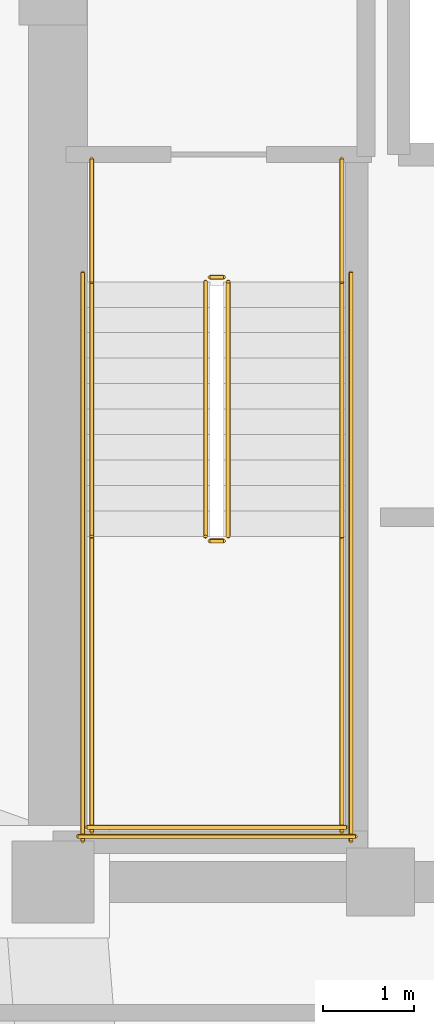
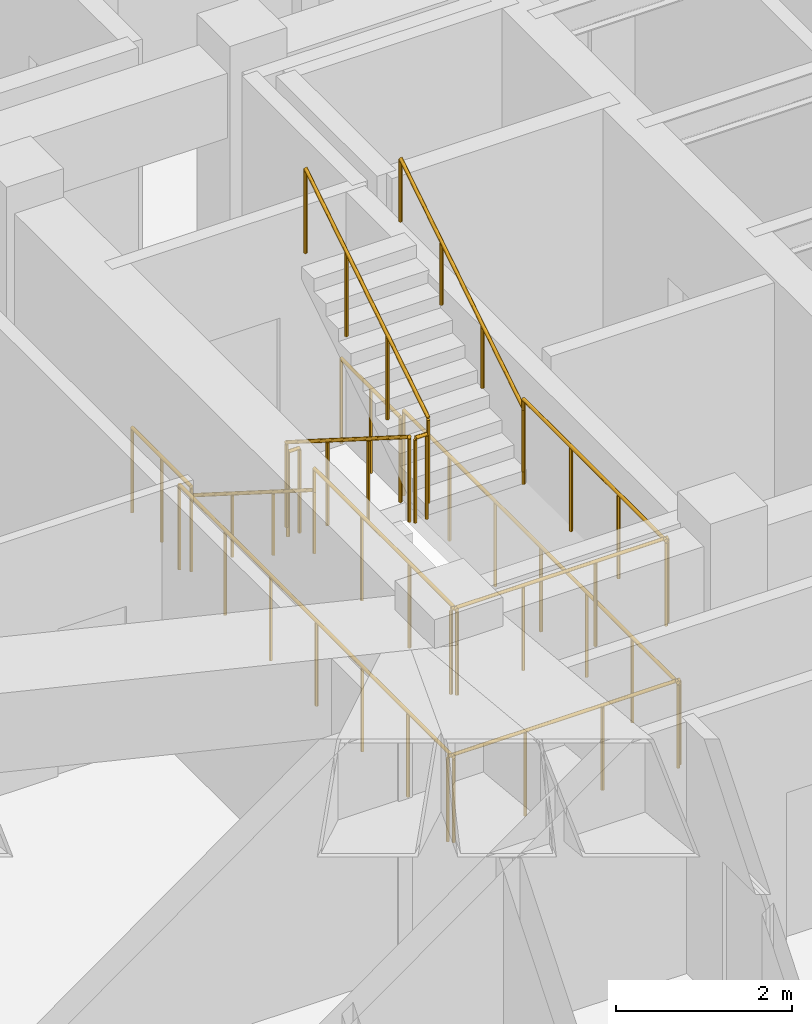
# One storey, part 11 of 12: 14 railings.
"""IFC4 building model written with IfcOpenShell, lengths in metres."""

from ifc_helpers import new_model, si_unit, direction, frame, origin, origin_2d, place, context, subcontext, project, spatial, circle, extrude, material, type_object, element, save


model = new_model("IFC4")

# Units and contexts
model_context = context("Model", 3, precision=1e-05, world=origin(), true_north=direction((0.0, 1.0)))
body_context = subcontext(model_context, "Body", "Model", "MODEL_VIEW")
ifc_project = project(units=[si_unit("LENGTHUNIT", "METRE"), si_unit("AREAUNIT", "SQUARE_METRE"), si_unit("VOLUMEUNIT", "CUBIC_METRE"), si_unit("PLANEANGLEUNIT", "RADIAN"), si_unit("MASSUNIT", "GRAM", prefix="KILO")], contexts=[model_context])

# Site, building, storey
site_placement = place(None, origin())
site = spatial("IfcSite", under=ifc_project, at=site_placement, CompositionType="ELEMENT")
building_placement = place(site_placement, origin())
building = spatial("IfcBuilding", under=site, at=building_placement, Name="Voryun Gate Residences", CompositionType="ELEMENT")
storey_placement = place(building_placement, frame((0.0, 0.0, 250.89990234375)))
storey = spatial("IfcBuildingStorey", under=building, at=storey_placement, Name="L62", CompositionType="ELEMENT", Elevation=250.89990234375)

# Railings
ifc_material_1 = material(Name="Painted steel", Category="steel")
railing_type_1 = type_object("IfcRailingType", Name="RAIL_STAIR_GUARD_1200", PredefinedType="GUARDRAIL", material=ifc_material_1)
railing_1_placement = place(storey_placement, frame((-17.52490234375, -0.800048828125, 0.177490234375)))
element("IfcRailing", 1, at=railing_1_placement, inside=storey, type_object=railing_type_1, Name="L62 ST-W1 stair guard 1", PredefinedType="GUARDRAIL", context=body_context, shape_type="SweptSolid", body=[
    extrude(circle(Radius=0.02392578125, at=origin_2d()), frame((0.0, 0.0, 1.17578125), z_axis=(0.0, -0.844908973607, 0.534910110503), x_axis=(1.0, 0.0, 0.0)), (0.0, 0.0, 1.0), 3.31396484375),
    extrude(circle(Radius=0.02099609375, at=origin_2d()), origin(), (0.0, 0.0, 1.0), 1.15185546875),
    extrude(circle(Radius=0.02099609375, at=origin_2d()), frame((0.0, -0.933349609375, 0.5908203125)), (0.0, 0.0, 1.0), 1.15185546875),
    extrude(circle(Radius=0.02099609375, at=origin_2d()), frame((0.0, -1.86669921875, 1.181884765625)), (0.0, 0.0, 1.0), 1.15185546875),
    extrude(circle(Radius=0.02099609375, at=origin_2d()), frame((0.0, -2.800048828125, 1.772705078125)), (0.0, 0.0, 1.0), 1.15185546875),
])
railing_2_placement = place(storey_placement, frame((-17.47509765625, -3.64990234375, 1.9501953125)))
element("IfcRailing", 2, at=railing_2_placement, inside=storey, type_object=railing_type_1, Name="L62 ST-W1 stair guard 2", PredefinedType="GUARDRAIL", context=body_context, shape_type="SweptSolid", body=[
    extrude(circle(Radius=0.02392578125, at=origin_2d()), frame((0.0, 0.0, 1.17578125), z_axis=(1.0, 0.0, 0.0), x_axis=(0.0, 1.0, 0.0)), (0.0, 0.0, 1.0), 0.150146484375),
    extrude(circle(Radius=0.02099609375, at=origin_2d()), origin(), (0.0, 0.0, 1.0), 1.15185546875),
    extrude(circle(Radius=0.02099609375, at=origin_2d()), frame((0.150146484375, 0.0, 0.0)), (0.0, 0.0, 1.0), 1.15185546875),
])
for number, where, name in (
    (3, (-18.77490234375, -3.60009765625, 1.9501953125), "L62 ST-W1 stair guard 3"),
    (4, (-16.02490234375, -3.60009765625, 1.9501953125), "L62 ST-W1 stair guard 4"),
):
    element("IfcRailing", number, at=place(storey_placement, frame(where)), inside=storey, type_object=railing_type_1, Name=name, PredefinedType="GUARDRAIL", context=body_context, shape_type="SweptSolid", body=[
        extrude(circle(Radius=0.02392578125, at=origin_2d()), frame((0.0, 0.0, 1.17578125), z_axis=(0.0, -1.0, 0.0), x_axis=(1.0, 0.0, 0.0)), (0.0, 0.0, 1.0), 3.25),
        extrude(circle(Radius=0.02099609375, at=origin_2d()), origin(), (0.0, 0.0, 1.0), 1.15185546875),
        extrude(circle(Radius=0.02099609375, at=origin_2d()), frame((0.0, -1.083251953125, 0.0)), (0.0, 0.0, 1.0), 1.15185546875),
        extrude(circle(Radius=0.02099609375, at=origin_2d()), frame((0.0, -2.166748046875, 0.0)), (0.0, 0.0, 1.0), 1.15185546875),
        extrude(circle(Radius=0.02099609375, at=origin_2d()), frame((0.0, -3.25, 0.0)), (0.0, 0.0, 1.0), 1.15185546875),
    ])
railing_3_placement = place(storey_placement, frame((-18.824951171875, -6.800048828125, 1.9501953125)))
element("IfcRailing", 5, at=railing_3_placement, inside=storey, type_object=railing_type_1, Name="L62 ST-W1 stair guard 5", PredefinedType="GUARDRAIL", context=body_context, shape_type="SweptSolid", body=[
    extrude(circle(Radius=0.02392578125, at=origin_2d()), frame((0.0, 0.0, 1.17578125), z_axis=(1.0, 0.0, 0.0), x_axis=(0.0, 1.0, 0.0)), (0.0, 0.0, 1.0), 2.849853515625),
    extrude(circle(Radius=0.02099609375, at=origin_2d()), origin(), (0.0, 0.0, 1.0), 1.15185546875),
    extrude(circle(Radius=0.02099609375, at=origin_2d()), frame((0.949951171875, 0.0, 0.0)), (0.0, 0.0, 1.0), 1.15185546875),
    extrude(circle(Radius=0.02099609375, at=origin_2d()), frame((1.89990234375, 0.0, 0.0)), (0.0, 0.0, 1.0), 1.15185546875),
    extrude(circle(Radius=0.02099609375, at=origin_2d()), frame((2.849853515625, 0.0, 0.0)), (0.0, 0.0, 1.0), 1.15185546875),
])
railing_4_placement = place(storey_placement, frame((-17.27490234375, -3.60009765625, 2.12744140625)))
element("IfcRailing", 6, at=railing_4_placement, inside=storey, type_object=railing_type_1, Name="L62 ST-W1 stair guard 6", PredefinedType="GUARDRAIL", context=body_context, shape_type="SweptSolid", body=[
    extrude(circle(Radius=0.02392578125, at=origin_2d()), frame((0.0, 0.0, 1.17578125), z_axis=(0.0, 0.844908973607, 0.534910110503), x_axis=(-1.0, 0.0, 0.0)), (0.0, 0.0, 1.0), 3.31396484375),
    extrude(circle(Radius=0.02099609375, at=origin_2d()), origin(), (0.0, 0.0, 1.0), 1.15185546875),
    extrude(circle(Radius=0.02099609375, at=origin_2d()), frame((0.0, 0.933349609375, 0.5908203125)), (0.0, 0.0, 1.0), 1.15185546875),
    extrude(circle(Radius=0.02099609375, at=origin_2d()), frame((0.0, 1.86669921875, 1.181884765625)), (0.0, 0.0, 1.0), 1.15185546875),
    extrude(circle(Radius=0.02099609375, at=origin_2d()), frame((0.0, 2.800048828125, 1.772705078125)), (0.0, 0.0, 1.0), 1.15185546875),
])
railing_5_placement = place(storey_placement, frame((-17.47509765625, -0.75, 0.0)))
element("IfcRailing", 7, at=railing_5_placement, inside=storey, type_object=railing_type_1, Name="L62 ST-W1 stair guard 7", PredefinedType="GUARDRAIL", context=body_context, shape_type="SweptSolid", body=[
    extrude(circle(Radius=0.02392578125, at=origin_2d()), frame((0.0, 0.0, 1.17578125), z_axis=(1.0, 0.0, 0.0), x_axis=(0.0, 1.0, 0.0)), (0.0, 0.0, 1.0), 0.150146484375),
    extrude(circle(Radius=0.02099609375, at=origin_2d()), origin(), (0.0, 0.0, 1.0), 1.15185546875),
    extrude(circle(Radius=0.02099609375, at=origin_2d()), frame((0.150146484375, 0.0, 0.0)), (0.0, 0.0, 1.0), 1.15185546875),
])
for number, where, name in (
    (8, (-18.77490234375, 0.550048828125, 0.0), "L62 ST-W1 stair guard 8"),
    (9, (-16.02490234375, 0.550048828125, 0.0), "L62 ST-W1 stair guard 9"),
):
    element("IfcRailing", number, at=place(storey_placement, frame(where)), inside=storey, type_object=railing_type_1, Name=name, PredefinedType="GUARDRAIL", context=body_context, shape_type="SweptSolid", body=[
        extrude(circle(Radius=0.02392578125, at=origin_2d()), frame((0.0, 0.0, 1.17578125), z_axis=(0.0, -1.0, 0.0), x_axis=(1.0, 0.0, 0.0)), (0.0, 0.0, 1.0), 1.35009765625),
        extrude(circle(Radius=0.02099609375, at=origin_2d()), origin(), (0.0, 0.0, 1.0), 1.15185546875),
        extrude(circle(Radius=0.02099609375, at=origin_2d()), frame((0.0, -0.675048828125, 0.0)), (0.0, 0.0, 1.0), 1.15185546875),
        extrude(circle(Radius=0.02099609375, at=origin_2d()), frame((0.0, -1.35009765625, 0.0)), (0.0, 0.0, 1.0), 1.15185546875),
    ])
for number, where, name in (
    (10, (-18.875, -0.699951171875, 0.0), "L62 ST-W1 stair guard 10"),
    (11, (-15.925048828125, -0.699951171875, 0.0), "L62 ST-W1 stair guard 11"),
):
    element("IfcRailing", number, at=place(storey_placement, frame(where)), inside=storey, type_object=railing_type_1, Name=name, PredefinedType="GUARDRAIL", context=body_context, shape_type="SweptSolid", body=[
        extrude(circle(Radius=0.02392578125, at=origin_2d()), frame((0.0, 0.0, 1.17578125), z_axis=(0.0, -1.0, 0.0), x_axis=(1.0, 0.0, 0.0)), (0.0, 0.0, 1.0), 6.25),
        extrude(circle(Radius=0.02099609375, at=origin_2d()), origin(), (0.0, 0.0, 1.0), 1.15185546875),
        extrude(circle(Radius=0.02099609375, at=origin_2d()), frame((0.0, -1.041748046875, 0.0)), (0.0, 0.0, 1.0), 1.15185546875),
        extrude(circle(Radius=0.02099609375, at=origin_2d()), frame((0.0, -2.083251953125, 0.0)), (0.0, 0.0, 1.0), 1.15185546875),
        extrude(circle(Radius=0.02099609375, at=origin_2d()), frame((0.0, -3.125, 0.0)), (0.0, 0.0, 1.0), 1.15185546875),
        extrude(circle(Radius=0.02099609375, at=origin_2d()), frame((0.0, -4.166748046875, 0.0)), (0.0, 0.0, 1.0), 1.15185546875),
        extrude(circle(Radius=0.02099609375, at=origin_2d()), frame((0.0, -5.208251953125, 0.0)), (0.0, 0.0, 1.0), 1.15185546875),
        extrude(circle(Radius=0.02099609375, at=origin_2d()), frame((0.0, -6.25, 0.0)), (0.0, 0.0, 1.0), 1.15185546875),
    ])
railing_6_placement = place(storey_placement, frame((-18.925048828125, -6.89990234375, 0.0)))
element("IfcRailing", 12, at=railing_6_placement, inside=storey, type_object=railing_type_1, Name="L62 ST-W1 stair guard 12", PredefinedType="GUARDRAIL", context=body_context, shape_type="SweptSolid", body=[
    extrude(circle(Radius=0.02392578125, at=origin_2d()), frame((0.0, 0.0, 1.17578125), z_axis=(1.0, 0.0, 0.0), x_axis=(0.0, 1.0, 0.0)), (0.0, 0.0, 1.0), 3.050048828125),
    extrude(circle(Radius=0.02099609375, at=origin_2d()), origin(), (0.0, 0.0, 1.0), 1.15185546875),
    extrude(circle(Radius=0.02099609375, at=origin_2d()), frame((1.0166015625, 0.0, 0.0)), (0.0, 0.0, 1.0), 1.15185546875),
    extrude(circle(Radius=0.02099609375, at=origin_2d()), frame((2.033447265625, 0.0, 0.0)), (0.0, 0.0, 1.0), 1.15185546875),
    extrude(circle(Radius=0.02099609375, at=origin_2d()), frame((3.050048828125, 0.0, 0.0)), (0.0, 0.0, 1.0), 1.15185546875),
])
ifc_material_2 = material(Name="Painted steel", Category="steel")
railing_type_2 = type_object("IfcRailingType", Name="RAIL_STAIR_HANDRAIL_900", PredefinedType="HANDRAIL", material=ifc_material_2)
railing_7_placement = place(storey_placement, frame((-18.77490234375, -0.800048828125, 0.177490234375)))
element("IfcRailing", 13, at=railing_7_placement, inside=storey, type_object=railing_type_2, Name="L62 ST-W1 stair handrail 1", PredefinedType="HANDRAIL", context=body_context, shape_type="SweptSolid", body=[
    extrude(circle(Radius=0.02392578125, at=origin_2d()), frame((0.0, 0.0, 0.8759765625), z_axis=(0.0, -0.844908973607, 0.534910110503), x_axis=(1.0, 0.0, 0.0)), (0.0, 0.0, 1.0), 3.31396484375),
    extrude(circle(Radius=0.02099609375, at=origin_2d()), origin(), (0.0, 0.0, 1.0), 0.851806640625),
    extrude(circle(Radius=0.02099609375, at=origin_2d()), frame((0.0, -0.933349609375, 0.5908203125)), (0.0, 0.0, 1.0), 0.851806640625),
    extrude(circle(Radius=0.02099609375, at=origin_2d()), frame((0.0, -1.86669921875, 1.181884765625)), (0.0, 0.0, 1.0), 0.851806640625),
    extrude(circle(Radius=0.02099609375, at=origin_2d()), frame((0.0, -2.800048828125, 1.772705078125)), (0.0, 0.0, 1.0), 0.851806640625),
])
railing_8_placement = place(storey_placement, frame((-16.02490234375, -3.60009765625, 2.12744140625)))
element("IfcRailing", 14, at=railing_8_placement, inside=storey, type_object=railing_type_2, Name="L62 ST-W1 stair handrail 2", PredefinedType="HANDRAIL", context=body_context, shape_type="SweptSolid", body=[
    extrude(circle(Radius=0.02392578125, at=origin_2d()), frame((0.0, 0.0, 0.8759765625), z_axis=(0.0, 0.844908973607, 0.534910110503), x_axis=(-1.0, 0.0, 0.0)), (0.0, 0.0, 1.0), 3.31396484375),
    extrude(circle(Radius=0.02099609375, at=origin_2d()), origin(), (0.0, 0.0, 1.0), 0.851806640625),
    extrude(circle(Radius=0.02099609375, at=origin_2d()), frame((0.0, 0.933349609375, 0.5908203125)), (0.0, 0.0, 1.0), 0.851806640625),
    extrude(circle(Radius=0.02099609375, at=origin_2d()), frame((0.0, 1.86669921875, 1.181884765625)), (0.0, 0.0, 1.0), 0.851806640625),
    extrude(circle(Radius=0.02099609375, at=origin_2d()), frame((0.0, 2.800048828125, 1.772705078125)), (0.0, 0.0, 1.0), 0.851806640625),
])

save(model, "model.ifc")
